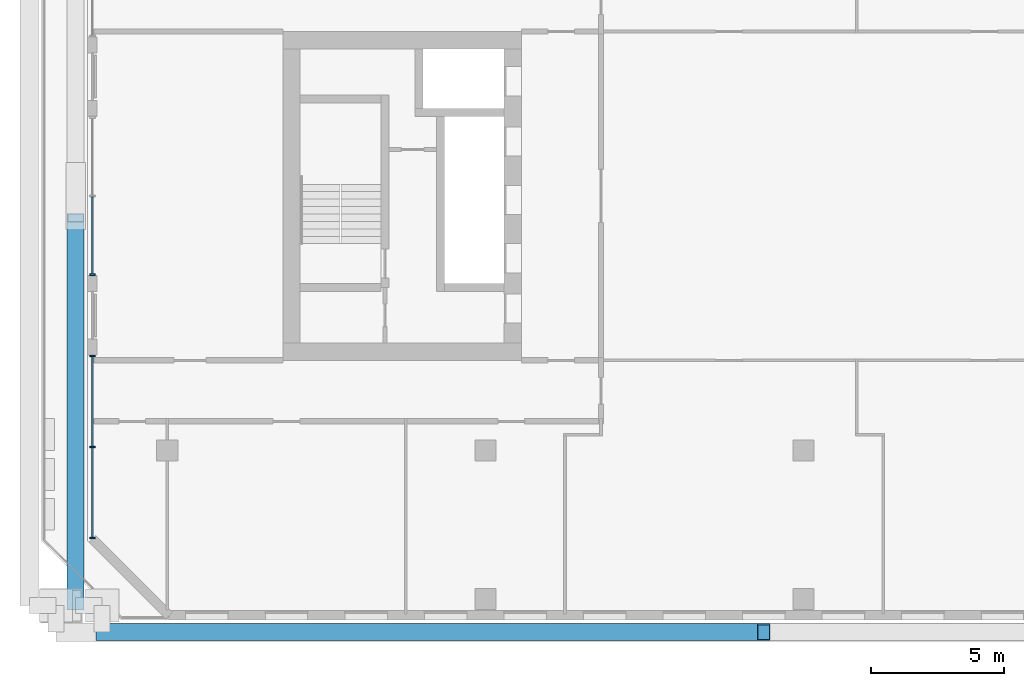
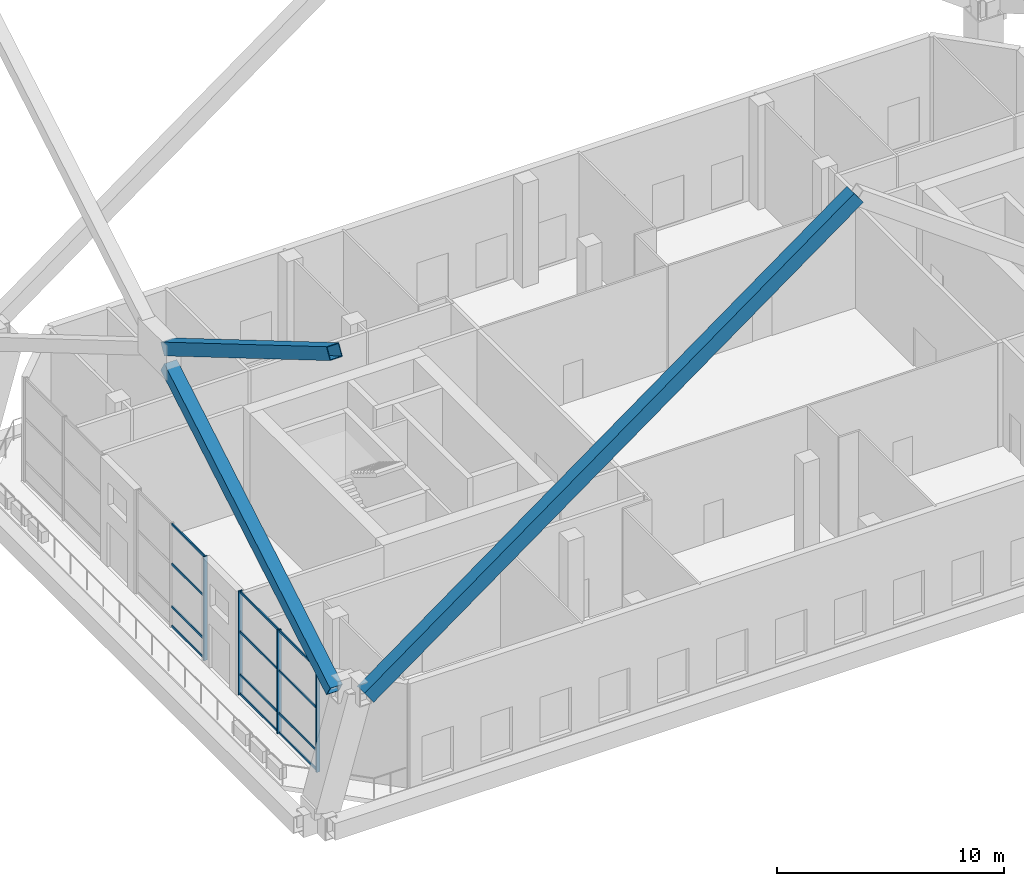
# One storey, part 2 of 20: 19 members, 2 elements without a shape of their own.
"""IFC4 building model written with IfcOpenShell, lengths in metres."""

from ifc_helpers import new_model, si_unit, direction, frame, origin, origin_2d, place, context, subcontext, project, spatial, rectangle, hollow_rectangle, extrude, material, material_profile, profile_set, type_object, element, aggregate, save


model = new_model("IFC4")

# Units and contexts
model_context = context("Model", 3, precision=1e-05, world=origin(), true_north=direction((0.0, 1.0)))
body_context = subcontext(model_context, "Body", "Model", "MODEL_VIEW")
ifc_project = project(units=[si_unit("LENGTHUNIT", "METRE"), si_unit("AREAUNIT", "SQUARE_METRE"), si_unit("VOLUMEUNIT", "CUBIC_METRE"), si_unit("PLANEANGLEUNIT", "RADIAN"), si_unit("MASSUNIT", "GRAM", prefix="KILO")], contexts=[model_context])

# Site, building, storey
site_placement = place(None, origin())
site = spatial("IfcSite", under=ifc_project, at=site_placement, CompositionType="ELEMENT")
building_placement = place(site_placement, origin())
building = spatial("IfcBuilding", under=site, at=building_placement, Name="Tuart Gate Housing", CompositionType="ELEMENT")
storey_placement = place(building_placement, frame((0.0, 0.0, 90.199951171875)))
storey = spatial("IfcBuildingStorey", under=building, at=storey_placement, Name="L25", CompositionType="ELEMENT", Elevation=90.199951171875)

# Members
ifc_material_1 = material(Name="Steel Grade 350", Category="steel")
ifc_material_profile_1 = material_profile(ifc_material_1, hollow_rectangle(XDim=0.639892578125, YDim=0.639892578125, WallThickness=0.031982421875, at=origin_2d()), Name="BOX 640x640x32")
ifc_profile_set_1 = profile_set([ifc_material_profile_1], Name="Steel Grade 350")
member_type_1 = type_object("IfcMemberType", Name="Mega brace BOX 640x640x32", PredefinedType="BRACE", material=ifc_profile_set_1)
for number, where, z_axis, x_axis, name in (
    (1, (24.550048828125, 54.550048828125, 6.199951171875), (0.0, 0.861644676374, 0.507512021214), (-1.0, 0.0, 0.0), "Mega brace A zone 4 west cross 1 a"),
    (2, (24.550048828125, 69.181396484375, 15.7822265625), (0.0, -0.861644676374, 0.507512021214), (1.0, 0.0, 0.0), "Mega brace A zone 4 west cross 2 b"),
):
    element("IfcMember", number, at=place(storey_placement, frame(where, z_axis=z_axis, x_axis=x_axis)), inside=storey, type_object=member_type_1, Name=name, PredefinedType="BRACE", context=body_context, shape_type="SweptSolid", body=[
        extrude(hollow_rectangle(XDim=0.639892578125, YDim=0.639892578125, WallThickness=0.031982421875, at=origin_2d()), origin(), (0.0, 0.0, 1.0), 16.980712890625),
    ])
ifc_material_2 = material(Name="Steel Grade 350", Category="steel")
ifc_material_profile_2 = material_profile(ifc_material_2, hollow_rectangle(XDim=0.639892578125, YDim=0.800048828125, WallThickness=0.0400390625, at=origin_2d()), Name="BOX 800x640x40")
ifc_profile_set_2 = profile_set([ifc_material_profile_2], Name="Steel Grade 350")
member_type_2 = type_object("IfcMemberType", Name="Mega brace BOX 800x640x40", PredefinedType="BRACE", material=ifc_profile_set_2)
member_1_placement = place(storey_placement, frame((25.550048828125, 53.550048828125, 6.199951171875), z_axis=(0.807891554627, 0.0, 0.589331176812), x_axis=(0.0, 1.0, 0.0)))
element("IfcMember", 3, at=member_1_placement, inside=storey, type_object=member_type_2, Name="Mega brace A zone 4 south chevron 1", PredefinedType="BRACE", context=body_context, shape_type="SweptSolid", body=[
    extrude(hollow_rectangle(XDim=0.639892578125, YDim=0.800048828125, WallThickness=0.0400390625, at=origin_2d()), origin(), (0.0, 0.0, 1.0), 30.8828125),
])

# Curtain wall, member
ifc_material_3 = material(Name="Aluminium and clear glass", Category="aluminium")
curtain_wall_type = type_object("IfcCurtainWallType", Name="Sky garden front glazing", PredefinedType="USERDEFINED", material=ifc_material_3)
curtain_wall_1_placement = place(storey_placement, origin())
curtain_wall_1 = element("IfcCurtainWall", 4, at=curtain_wall_1_placement, inside=storey, type_object=curtain_wall_type, Name="Sky garden front glazing A-W L25", ObjectType="SKY GARDEN FRONT GLAZING", PredefinedType="USERDEFINED")
ifc_material_4 = material(Name="Anodised aluminium", Category="aluminium")
ifc_material_profile_3 = material_profile(ifc_material_4, rectangle(XDim=0.06005859375, YDim=0.199951171875, at=origin_2d()), Name="60x200")
ifc_profile_set_3 = profile_set([ifc_material_profile_3], Name="Anodised aluminium")
member_type_3 = type_object("IfcMemberType", Name="Mullion 60 x 200", PredefinedType="MULLION", material=ifc_profile_set_3)
member_2_placement = place(storey_placement, frame((25.179931640625, 67.030029296875, 0.0), z_axis=(0.0, 0.0, 1.0), x_axis=(0.0, -1.0, 0.0)))
member_2 = element("IfcMember", 5, at=member_2_placement, type_object=member_type_3, Name="CW4 mullion 3", PredefinedType="MULLION", context=body_context, shape_type="SweptSolid", body=[
    extrude(rectangle(XDim=0.06005859375, YDim=0.199951171875, at=origin_2d()), origin(), (0.0, 0.0, 1.0), 5.60009765625),
])

# Curtain wall, members
curtain_wall_2_placement = place(storey_placement, origin())
curtain_wall_2 = element("IfcCurtainWall", 6, at=curtain_wall_2_placement, inside=storey, type_object=curtain_wall_type, Name="Sky garden front glazing A-W L25", ObjectType="SKY GARDEN FRONT GLAZING", PredefinedType="USERDEFINED")
member_3_placement = place(storey_placement, frame((25.179931640625, 63.969970703125, 0.0), z_axis=(0.0, 0.0, 1.0), x_axis=(0.0, -1.0, 0.0)))
member_3 = element("IfcMember", 7, at=member_3_placement, type_object=member_type_3, Name="CW4 mullion 1", PredefinedType="MULLION", context=body_context, shape_type="SweptSolid", body=[
    extrude(rectangle(XDim=0.06005859375, YDim=0.199951171875, at=origin_2d()), origin(), (0.0, 0.0, 1.0), 5.60009765625),
])
member_4_placement = place(storey_placement, frame((25.179931640625, 60.537353515625, 0.0), z_axis=(0.0, 0.0, 1.0), x_axis=(0.0, -1.0, 0.0)))
member_4 = element("IfcMember", 8, at=member_4_placement, type_object=member_type_3, Name="CW4 mullion 2", PredefinedType="MULLION", context=body_context, shape_type="SweptSolid", body=[
    extrude(rectangle(XDim=0.06005859375, YDim=0.199951171875, at=origin_2d()), origin(), (0.0, 0.0, 1.0), 5.60009765625),
])
member_5_placement = place(storey_placement, frame((25.179931640625, 57.1044921875, 0.0), z_axis=(0.0, 0.0, 1.0), x_axis=(0.0, -1.0, 0.0)))
member_5 = element("IfcMember", 9, at=member_5_placement, type_object=member_type_3, Name="CW4 mullion 3", PredefinedType="MULLION", context=body_context, shape_type="SweptSolid", body=[
    extrude(rectangle(XDim=0.06005859375, YDim=0.199951171875, at=origin_2d()), origin(), (0.0, 0.0, 1.0), 5.60009765625),
])

# Member
ifc_material_5 = material(Name="Anodised aluminium", Category="aluminium")
ifc_material_profile_4 = material_profile(ifc_material_5, rectangle(XDim=0.06005859375, YDim=0.1201171875, at=origin_2d()), Name="60x120")
ifc_profile_set_4 = profile_set([ifc_material_profile_4], Name="Anodised aluminium")
member_type_4 = type_object("IfcMemberType", Name="Transom 60 x 120", PredefinedType="USERDEFINED", material=ifc_profile_set_4)
member_6_placement = place(storey_placement, frame((25.179931640625, 69.969970703125, 0.06005859375), z_axis=(0.0, -1.0, 0.0), x_axis=(1.0, 0.0, 0.0)))
member_6 = element("IfcMember", 10, at=member_6_placement, type_object=member_type_4, Name="CW4 transom 2.1", ObjectType="TRANSOM", PredefinedType="USERDEFINED", context=body_context, shape_type="SweptSolid", body=[
    extrude(rectangle(XDim=0.06005859375, YDim=0.1201171875, at=origin_2d()), origin(), (0.0, 0.0, 1.0), 2.909912109375),
])

member_7_placement = place(storey_placement, frame((25.179931640625, 69.969970703125, 1.10009765625), z_axis=(0.0, -1.0, 0.0), x_axis=(1.0, 0.0, 0.0)))
member_7 = element("IfcMember", 11, at=member_7_placement, type_object=member_type_4, Name="CW4 transom 2.2", ObjectType="TRANSOM", PredefinedType="USERDEFINED", context=body_context, shape_type="SweptSolid", body=[
    extrude(rectangle(XDim=0.06005859375, YDim=0.1201171875, at=origin_2d()), origin(), (0.0, 0.0, 1.0), 2.909912109375),
])

member_8_placement = place(storey_placement, frame((25.179931640625, 69.969970703125, 3.400146484375), z_axis=(0.0, -1.0, 0.0), x_axis=(1.0, 0.0, 0.0)))
member_8 = element("IfcMember", 12, at=member_8_placement, type_object=member_type_4, Name="CW4 transom 2.3", ObjectType="TRANSOM", PredefinedType="USERDEFINED", context=body_context, shape_type="SweptSolid", body=[
    extrude(rectangle(XDim=0.06005859375, YDim=0.1201171875, at=origin_2d()), origin(), (0.0, 0.0, 1.0), 2.909912109375),
])

member_9_placement = place(storey_placement, frame((25.179931640625, 69.969970703125, 5.5400390625), z_axis=(0.0, -1.0, 0.0), x_axis=(1.0, 0.0, 0.0)))
member_9 = element("IfcMember", 13, at=member_9_placement, type_object=member_type_4, Name="CW4 transom 2.4", ObjectType="TRANSOM", PredefinedType="USERDEFINED", context=body_context, shape_type="SweptSolid", body=[
    extrude(rectangle(XDim=0.06005859375, YDim=0.1201171875, at=origin_2d()), origin(), (0.0, 0.0, 1.0), 2.909912109375),
])

aggregate(curtain_wall_1, [member_2, member_6, member_7, member_8, member_9])

member_10_placement = place(storey_placement, frame((25.179931640625, 63.93994140625, 0.06005859375), z_axis=(0.0, -1.0, 0.0), x_axis=(1.0, 0.0, 0.0)))
member_10 = element("IfcMember", 14, at=member_10_placement, type_object=member_type_4, Name="CW4 transom 1.1", ObjectType="TRANSOM", PredefinedType="USERDEFINED", context=body_context, shape_type="SweptSolid", body=[
    extrude(rectangle(XDim=0.06005859375, YDim=0.1201171875, at=origin_2d()), origin(), (0.0, 0.0, 1.0), 3.372802734375),
])

member_11_placement = place(storey_placement, frame((25.179931640625, 63.93994140625, 1.10009765625), z_axis=(0.0, -1.0, 0.0), x_axis=(1.0, 0.0, 0.0)))
member_11 = element("IfcMember", 15, at=member_11_placement, type_object=member_type_4, Name="CW4 transom 1.2", ObjectType="TRANSOM", PredefinedType="USERDEFINED", context=body_context, shape_type="SweptSolid", body=[
    extrude(rectangle(XDim=0.06005859375, YDim=0.1201171875, at=origin_2d()), origin(), (0.0, 0.0, 1.0), 3.372802734375),
])

member_12_placement = place(storey_placement, frame((25.179931640625, 63.93994140625, 3.400146484375), z_axis=(0.0, -1.0, 0.0), x_axis=(1.0, 0.0, 0.0)))
member_12 = element("IfcMember", 16, at=member_12_placement, type_object=member_type_4, Name="CW4 transom 1.3", ObjectType="TRANSOM", PredefinedType="USERDEFINED", context=body_context, shape_type="SweptSolid", body=[
    extrude(rectangle(XDim=0.06005859375, YDim=0.1201171875, at=origin_2d()), origin(), (0.0, 0.0, 1.0), 3.372802734375),
])

member_13_placement = place(storey_placement, frame((25.179931640625, 63.93994140625, 5.5400390625), z_axis=(0.0, -1.0, 0.0), x_axis=(1.0, 0.0, 0.0)))
member_13 = element("IfcMember", 17, at=member_13_placement, type_object=member_type_4, Name="CW4 transom 1.4", ObjectType="TRANSOM", PredefinedType="USERDEFINED", context=body_context, shape_type="SweptSolid", body=[
    extrude(rectangle(XDim=0.06005859375, YDim=0.1201171875, at=origin_2d()), origin(), (0.0, 0.0, 1.0), 3.372802734375),
])

member_14_placement = place(storey_placement, frame((25.179931640625, 60.50732421875, 0.06005859375), z_axis=(0.0, -1.0, 0.0), x_axis=(1.0, 0.0, 0.0)))
member_14 = element("IfcMember", 18, at=member_14_placement, type_object=member_type_4, Name="CW4 transom 2.1", ObjectType="TRANSOM", PredefinedType="USERDEFINED", context=body_context, shape_type="SweptSolid", body=[
    extrude(rectangle(XDim=0.06005859375, YDim=0.1201171875, at=origin_2d()), origin(), (0.0, 0.0, 1.0), 3.372802734375),
])

member_15_placement = place(storey_placement, frame((25.179931640625, 60.50732421875, 1.10009765625), z_axis=(0.0, -1.0, 0.0), x_axis=(1.0, 0.0, 0.0)))
member_15 = element("IfcMember", 19, at=member_15_placement, type_object=member_type_4, Name="CW4 transom 2.2", ObjectType="TRANSOM", PredefinedType="USERDEFINED", context=body_context, shape_type="SweptSolid", body=[
    extrude(rectangle(XDim=0.06005859375, YDim=0.1201171875, at=origin_2d()), origin(), (0.0, 0.0, 1.0), 3.372802734375),
])

member_16_placement = place(storey_placement, frame((25.179931640625, 60.50732421875, 3.400146484375), z_axis=(0.0, -1.0, 0.0), x_axis=(1.0, 0.0, 0.0)))
member_16 = element("IfcMember", 20, at=member_16_placement, type_object=member_type_4, Name="CW4 transom 2.3", ObjectType="TRANSOM", PredefinedType="USERDEFINED", context=body_context, shape_type="SweptSolid", body=[
    extrude(rectangle(XDim=0.06005859375, YDim=0.1201171875, at=origin_2d()), origin(), (0.0, 0.0, 1.0), 3.372802734375),
])

member_17_placement = place(storey_placement, frame((25.179931640625, 60.50732421875, 5.5400390625), z_axis=(0.0, -1.0, 0.0), x_axis=(1.0, 0.0, 0.0)))
member_17 = element("IfcMember", 21, at=member_17_placement, type_object=member_type_4, Name="CW4 transom 2.4", ObjectType="TRANSOM", PredefinedType="USERDEFINED", context=body_context, shape_type="SweptSolid", body=[
    extrude(rectangle(XDim=0.06005859375, YDim=0.1201171875, at=origin_2d()), origin(), (0.0, 0.0, 1.0), 3.372802734375),
])

aggregate(curtain_wall_2, [member_3, member_4, member_5, member_10, member_11, member_12, member_13, member_14, member_15, member_16, member_17])

save(model, "model.ifc")
